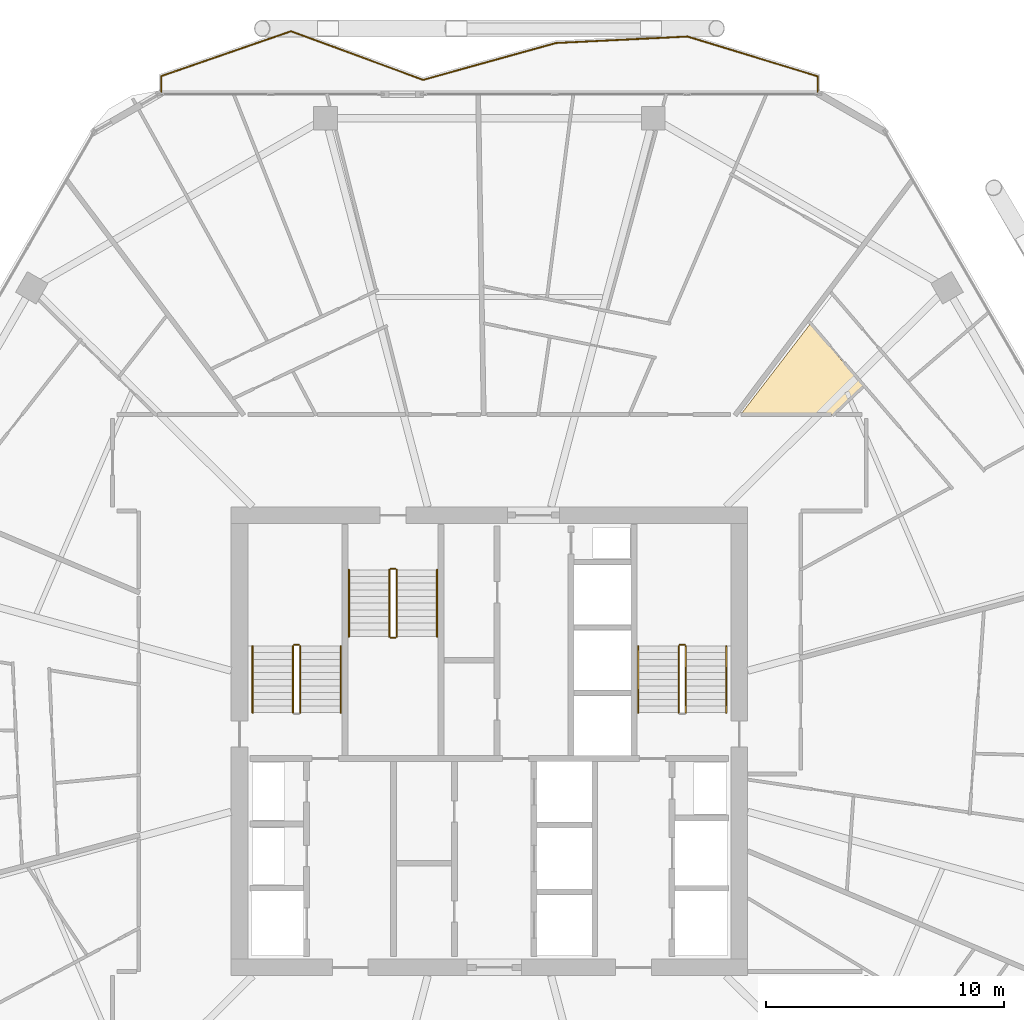
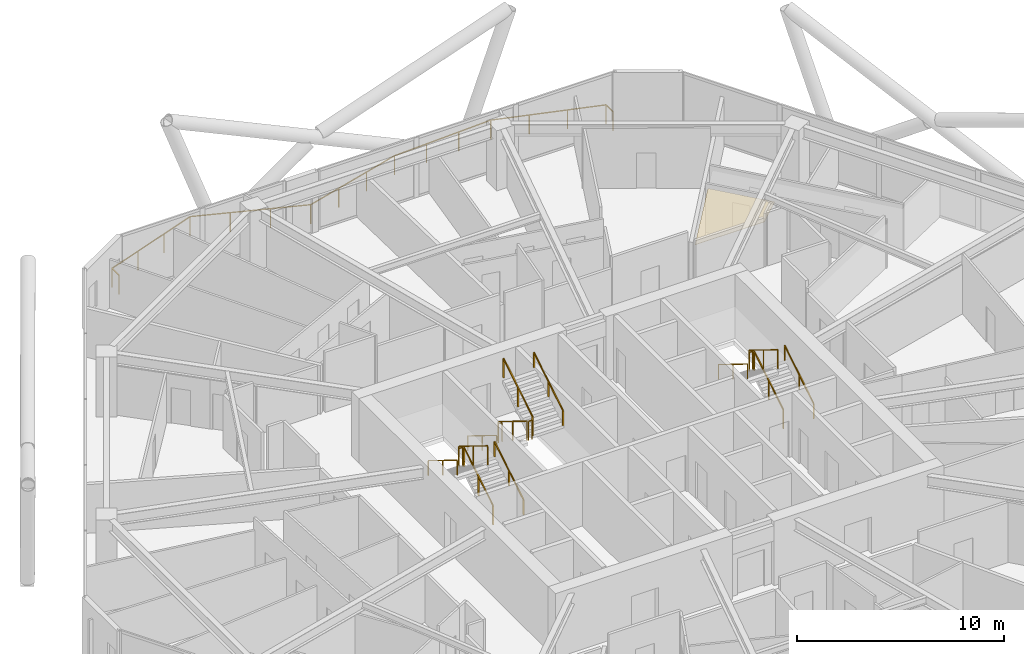
# One storey, part 28 of 29: 17 railings, 1 covering.
"""IFC4 building model written with IfcOpenShell, lengths in metres."""

from ifc_helpers import new_model, si_unit, direction, frame, origin, origin_2d, place, context, subcontext, project, spatial, polyline, rectangle, outline, extrude, material, layer, layer_set, type_object, element, save


model = new_model("IFC4")

# Units and contexts
model_context = context("Model", 3, precision=1e-05, world=origin(), true_north=direction((0.0, 1.0)))
body_context = subcontext(model_context, "Body", "Model", "MODEL_VIEW")
ifc_project = project(units=[si_unit("LENGTHUNIT", "METRE"), si_unit("AREAUNIT", "SQUARE_METRE"), si_unit("VOLUMEUNIT", "CUBIC_METRE"), si_unit("PLANEANGLEUNIT", "RADIAN"), si_unit("MASSUNIT", "GRAM", prefix="KILO")], contexts=[model_context])

# Site, building, storey
site_placement = place(None, origin())
site = spatial("IfcSite", under=ifc_project, at=site_placement, CompositionType="ELEMENT")
building_placement = place(site_placement, origin())
building = spatial("IfcBuilding", under=site, at=building_placement, Name="Zuhravey Tower", CompositionType="ELEMENT")
storey_placement = place(building_placement, frame((0.0, 0.0, 184.60009765625)))
storey = spatial("IfcBuildingStorey", under=building, at=storey_placement, Name="L46", CompositionType="ELEMENT", Elevation=184.60009765625)

# Railing
ifc_material_1 = material(Name="Stainless steel 316 and laminated glass", Category="steel")
railing_type_1 = type_object("IfcRailingType", Name="Balcony & Terrace Guardrail 1150", PredefinedType="BALUSTRADE", material=ifc_material_1)
railing_1_placement = place(storey_placement, frame((22.2099609375, 59.26806640625, 0.0)))
element("IfcRailing", 1, at=railing_1_placement, inside=storey, type_object=railing_type_1, Name="L46 Face 2 Wave Balcony Guardrail GR1", PredefinedType="BALUSTRADE", context=body_context, shape_type="SweptSolid", body=[
    extrude(rectangle(XDim=0.048095703125, YDim=0.048095703125, at=origin_2d()), frame((0.0, 0.001953125, 1.1259765625), z_axis=(0.0, 1.0, 0.0), x_axis=(-1.0, 0.0, 0.0)), (0.0, 0.0, 1.0), 0.6650390625),
    extrude(rectangle(XDim=0.048095703125, YDim=0.048095703125, at=origin_2d()), frame((0.001953125, 0.669677734375, 1.1259765625), z_axis=(0.944926729058, 0.327281952926, 0.0), x_axis=(-0.327281952926, 0.944926729058, 0.0)), (0.0, 0.0, 1.0), 5.76904296875),
    extrude(rectangle(XDim=0.048095703125, YDim=0.048095703125, at=origin_2d()), frame((5.45703125, 2.5576171875, 1.1259765625), z_axis=(0.93849519735, -0.345292288578, 0.0), x_axis=(0.345292288578, 0.93849519735, 0.0)), (0.0, 0.0, 1.0), 5.91259765625),
    extrude(rectangle(XDim=0.048095703125, YDim=0.048095703125, at=origin_2d()), frame((11.009765625, 0.515869140625, 1.1259765625), z_axis=(0.96353362204, 0.267587292671, 0.0), x_axis=(-0.267587292671, 0.96353362204, 0.0)), (0.0, 0.0, 1.0), 5.783203125),
    extrude(rectangle(XDim=0.048095703125, YDim=0.048095703125, at=origin_2d()), frame((16.5859375, 2.06396484375, 1.1259765625), z_axis=(0.998787402445, 0.049231338772, 0.0), x_axis=(-0.049231338772, 0.998787402445, 0.0)), (0.0, 0.0, 1.0), 5.5302734375),
    extrude(rectangle(XDim=0.048095703125, YDim=0.048095703125, at=origin_2d()), frame((22.113525390625, 2.3359375, 1.1259765625), z_axis=(0.956377089368, -0.292135008056, 0.0), x_axis=(0.292135008056, 0.956377089368, 0.0)), (0.0, 0.0, 1.0), 5.7138671875),
    extrude(rectangle(XDim=0.048095703125, YDim=0.048095703125, at=origin_2d()), frame((27.580078125, 0.6640625, 1.1259765625), z_axis=(0.0, -1.0, 0.0), x_axis=(1.0, 0.0, 0.0)), (0.0, 0.0, 1.0), 0.662109375),
    extrude(rectangle(XDim=0.0419921875, YDim=0.0419921875, at=origin_2d()), origin(), (0.0, 0.0, 1.0), 1.099853515625),
    extrude(rectangle(XDim=0.0419921875, YDim=0.0419921875, at=origin_2d()), frame((0.0, 0.6689453125, 0.0)), (0.0, 0.0, 1.0), 1.099853515625),
    extrude(rectangle(XDim=0.0419921875, YDim=0.0419921875, at=origin_2d()), frame((1.818359375, 1.298828125, 0.0)), (0.0, 0.0, 1.0), 1.099853515625),
    extrude(rectangle(XDim=0.0419921875, YDim=0.0419921875, at=origin_2d()), frame((3.63671875, 1.928466796875, 0.0)), (0.0, 0.0, 1.0), 1.099853515625),
    extrude(rectangle(XDim=0.0419921875, YDim=0.0419921875, at=origin_2d()), frame((5.455078125, 2.558349609375, 0.0)), (0.0, 0.0, 1.0), 1.099853515625),
    extrude(rectangle(XDim=0.0419921875, YDim=0.0419921875, at=origin_2d()), frame((7.305908203125, 1.87744140625, 0.0)), (0.0, 0.0, 1.0), 1.099853515625),
    extrude(rectangle(XDim=0.0419921875, YDim=0.0419921875, at=origin_2d()), frame((9.156982421875, 1.1962890625, 0.0)), (0.0, 0.0, 1.0), 1.099853515625),
    extrude(rectangle(XDim=0.0419921875, YDim=0.0419921875, at=origin_2d()), frame((11.0078125, 0.515380859375, 0.0)), (0.0, 0.0, 1.0), 1.099853515625),
    extrude(rectangle(XDim=0.0419921875, YDim=0.0419921875, at=origin_2d()), frame((12.866455078125, 1.031494140625, 0.0)), (0.0, 0.0, 1.0), 1.099853515625),
    extrude(rectangle(XDim=0.0419921875, YDim=0.0419921875, at=origin_2d()), frame((14.725341796875, 1.5478515625, 0.0)), (0.0, 0.0, 1.0), 1.099853515625),
    extrude(rectangle(XDim=0.0419921875, YDim=0.0419921875, at=origin_2d()), frame((16.583984375, 2.06396484375, 0.0)), (0.0, 0.0, 1.0), 1.099853515625),
    extrude(rectangle(XDim=0.0419921875, YDim=0.0419921875, at=origin_2d()), frame((18.426513671875, 2.15478515625, 0.0)), (0.0, 0.0, 1.0), 1.099853515625),
    extrude(rectangle(XDim=0.0419921875, YDim=0.0419921875, at=origin_2d()), frame((20.26904296875, 2.24560546875, 0.0)), (0.0, 0.0, 1.0), 1.099853515625),
    extrude(rectangle(XDim=0.0419921875, YDim=0.0419921875, at=origin_2d()), frame((22.111572265625, 2.33642578125, 0.0)), (0.0, 0.0, 1.0), 1.099853515625),
    extrude(rectangle(XDim=0.0419921875, YDim=0.0419921875, at=origin_2d()), frame((23.934326171875, 1.779541015625, 0.0)), (0.0, 0.0, 1.0), 1.099853515625),
    extrude(rectangle(XDim=0.0419921875, YDim=0.0419921875, at=origin_2d()), frame((25.75732421875, 1.222900390625, 0.0)), (0.0, 0.0, 1.0), 1.099853515625),
    extrude(rectangle(XDim=0.0419921875, YDim=0.0419921875, at=origin_2d()), frame((27.580078125, 0.666015625, 0.0)), (0.0, 0.0, 1.0), 1.099853515625),
    extrude(rectangle(XDim=0.0419921875, YDim=0.0419921875, at=origin_2d()), frame((27.580078125, 0.0, 0.0)), (0.0, 0.0, 1.0), 1.099853515625),
])

# Covering
ifc_material_2 = material(Name="Moisture-resistant gypsum ceiling board")
ifc_layer = layer(ifc_material_2, 0.02001953125)
ifc_layer_set = layer_set([ifc_layer], Name="Moisture-resistant gypsum ceiling board")
covering_type = type_object("IfcCoveringType", Name="Moisture-Resistant Ceiling", PredefinedType="CEILING", material=ifc_layer_set)
covering_placement = place(storey_placement, frame((0.0, 0.0, 2.58984375)))
element("IfcCovering", 2, at=covering_placement, inside=storey, type_object=covering_type, Name="L46 Wet-Room Ceiling CLG2", PredefinedType="CEILING", context=body_context, shape_type="SweptSolid", body=[
    extrude(outline(polyline([(46.560546875, 45.72998046875), (49.480712890625, 49.53564453125), (51.711669921875, 46.938232421875), (50.4384765625, 45.72998046875), (46.560546875, 45.72998046875)])), origin(), (0.0, 0.0, 1.0), 0.02001953125),
])

# Railings
ifc_material_3 = material(Name="Brushed stainless steel", Category="steel")
railing_type_2 = type_object("IfcRailingType", Name="Stair Wall Handrail 900", PredefinedType="HANDRAIL", material=ifc_material_3)
railing_2_placement = place(storey_placement, frame((29.75, 33.199951171875, 0.172607421875)))
element("IfcRailing", 3, at=railing_2_placement, inside=storey, type_object=railing_type_2, Name="L46 ST1 stair handrail 1", PredefinedType="HANDRAIL", context=body_context, shape_type="SweptSolid", body=[
    extrude(rectangle(XDim=0.048095703125, YDim=0.048095703125, at=origin_2d()), frame((0.0, 0.001708984375, 0.876953125), z_axis=(0.0, 0.851089632645, 0.525020415988), x_axis=(-1.0, 0.0, 0.0)), (0.0, 0.0, 1.0), 3.285888671875),
    extrude(rectangle(XDim=0.0419921875, YDim=0.0419921875, at=origin_2d()), origin(), (0.0, 0.0, 1.0), 0.849853515625),
    extrude(rectangle(XDim=0.0419921875, YDim=0.0419921875, at=origin_2d()), frame((0.0, 1.39990234375, 0.86376953125)), (0.0, 0.0, 1.0), 0.849853515625),
    extrude(rectangle(XDim=0.0419921875, YDim=0.0419921875, at=origin_2d()), frame((0.0, 2.800048828125, 1.727294921875)), (0.0, 0.0, 1.0), 0.849853515625),
])
railing_3_placement = place(storey_placement, frame((26.050048828125, 36.0, 2.072509765625)))
element("IfcRailing", 4, at=railing_3_placement, inside=storey, type_object=railing_type_2, Name="L46 ST1 stair handrail 2", PredefinedType="HANDRAIL", context=body_context, shape_type="SweptSolid", body=[
    extrude(rectangle(XDim=0.048095703125, YDim=0.048095703125, at=origin_2d()), frame((0.0, -0.001708984375, 0.876953125), z_axis=(0.0, -0.851089632645, 0.525020415988), x_axis=(1.0, 0.0, 0.0)), (0.0, 0.0, 1.0), 3.285888671875),
    extrude(rectangle(XDim=0.0419921875, YDim=0.0419921875, at=origin_2d()), origin(), (0.0, 0.0, 1.0), 0.849853515625),
    extrude(rectangle(XDim=0.0419921875, YDim=0.0419921875, at=origin_2d()), frame((0.0, -1.39990234375, 0.86376953125)), (0.0, 0.0, 1.0), 0.849853515625),
    extrude(rectangle(XDim=0.0419921875, YDim=0.0419921875, at=origin_2d()), frame((0.0, -2.800048828125, 1.727294921875)), (0.0, 0.0, 1.0), 0.849853515625),
])
railing_4_placement = place(storey_placement, frame((45.949951171875, 33.199951171875, 0.172607421875)))
element("IfcRailing", 5, at=railing_4_placement, inside=storey, type_object=railing_type_2, Name="L46 ST2 stair handrail 1", PredefinedType="HANDRAIL", context=body_context, shape_type="SweptSolid", body=[
    extrude(rectangle(XDim=0.048095703125, YDim=0.048095703125, at=origin_2d()), frame((0.0, 0.001708984375, 0.876953125), z_axis=(0.0, 0.851089632645, 0.525020415988), x_axis=(-1.0, 0.0, 0.0)), (0.0, 0.0, 1.0), 3.285888671875),
    extrude(rectangle(XDim=0.0419921875, YDim=0.0419921875, at=origin_2d()), origin(), (0.0, 0.0, 1.0), 0.849853515625),
    extrude(rectangle(XDim=0.0419921875, YDim=0.0419921875, at=origin_2d()), frame((0.0, 1.39990234375, 0.86376953125)), (0.0, 0.0, 1.0), 0.849853515625),
    extrude(rectangle(XDim=0.0419921875, YDim=0.0419921875, at=origin_2d()), frame((0.0, 2.800048828125, 1.727294921875)), (0.0, 0.0, 1.0), 0.849853515625),
])
for number, where, name in (
    (6, (42.25, 36.0, 2.072509765625), "L46 ST2 stair handrail 2"),
    (7, (30.10009765625, 39.199951171875, 0.172607421875), "L46 ST3 stair handrail 1"),
):
    element("IfcRailing", number, at=place(storey_placement, frame(where)), inside=storey, type_object=railing_type_2, Name=name, PredefinedType="HANDRAIL", context=body_context, shape_type="SweptSolid", body=[
        extrude(rectangle(XDim=0.048095703125, YDim=0.048095703125, at=origin_2d()), frame((0.0, -0.001708984375, 0.876953125), z_axis=(0.0, -0.851089632645, 0.525020415988), x_axis=(1.0, 0.0, 0.0)), (0.0, 0.0, 1.0), 3.285888671875),
        extrude(rectangle(XDim=0.0419921875, YDim=0.0419921875, at=origin_2d()), origin(), (0.0, 0.0, 1.0), 0.849853515625),
        extrude(rectangle(XDim=0.0419921875, YDim=0.0419921875, at=origin_2d()), frame((0.0, -1.39990234375, 0.86376953125)), (0.0, 0.0, 1.0), 0.849853515625),
        extrude(rectangle(XDim=0.0419921875, YDim=0.0419921875, at=origin_2d()), frame((0.0, -2.800048828125, 1.727294921875)), (0.0, 0.0, 1.0), 0.849853515625),
    ])
railing_5_placement = place(storey_placement, frame((33.800048828125, 36.39990234375, 2.072509765625)))
element("IfcRailing", 8, at=railing_5_placement, inside=storey, type_object=railing_type_2, Name="L46 ST3 stair handrail 2", PredefinedType="HANDRAIL", context=body_context, shape_type="SweptSolid", body=[
    extrude(rectangle(XDim=0.048095703125, YDim=0.048095703125, at=origin_2d()), frame((0.0, 0.001708984375, 0.876953125), z_axis=(0.0, 0.851089632645, 0.525020415988), x_axis=(-1.0, 0.0, 0.0)), (0.0, 0.0, 1.0), 3.285888671875),
    extrude(rectangle(XDim=0.0419921875, YDim=0.0419921875, at=origin_2d()), origin(), (0.0, 0.0, 1.0), 0.849853515625),
    extrude(rectangle(XDim=0.0419921875, YDim=0.0419921875, at=origin_2d()), frame((0.0, 1.39990234375, 0.86376953125)), (0.0, 0.0, 1.0), 0.849853515625),
    extrude(rectangle(XDim=0.0419921875, YDim=0.0419921875, at=origin_2d()), frame((0.0, 2.800048828125, 1.727294921875)), (0.0, 0.0, 1.0), 0.849853515625),
])
ifc_material_4 = material(Name="Painted tubular steel", Category="steel")
railing_type_3 = type_object("IfcRailingType", Name="Stair Well Guardrail 1150", PredefinedType="GUARDRAIL", material=ifc_material_4)
railing_6_placement = place(storey_placement, frame((28.050048828125, 33.199951171875, 0.172607421875)))
element("IfcRailing", 9, at=railing_6_placement, inside=storey, type_object=railing_type_3, Name="L46 ST1 stair guard 1", PredefinedType="GUARDRAIL", context=body_context, shape_type="SweptSolid", body=[
    extrude(rectangle(XDim=0.048095703125, YDim=0.048095703125, at=origin_2d()), frame((0.0, 0.001708984375, 1.126953125), z_axis=(0.0, 0.851089632645, 0.525020415988), x_axis=(-1.0, 0.0, 0.0)), (0.0, 0.0, 1.0), 3.285888671875),
    extrude(rectangle(XDim=0.0419921875, YDim=0.0419921875, at=origin_2d()), origin(), (0.0, 0.0, 1.0), 1.099853515625),
    extrude(rectangle(XDim=0.0419921875, YDim=0.0419921875, at=origin_2d()), frame((0.0, 1.39990234375, 0.86376953125)), (0.0, 0.0, 1.0), 1.099853515625),
    extrude(rectangle(XDim=0.0419921875, YDim=0.0419921875, at=origin_2d()), frame((0.0, 2.800048828125, 1.727294921875)), (0.0, 0.0, 1.0), 1.099853515625),
])
railing_7_placement = place(storey_placement, frame((28.0, 36.050048828125, 1.89990234375)))
element("IfcRailing", 10, at=railing_7_placement, inside=storey, type_object=railing_type_3, Name="L46 ST1 stair guard 2", PredefinedType="GUARDRAIL", context=body_context, shape_type="SweptSolid", body=[
    extrude(rectangle(XDim=0.048095703125, YDim=0.048095703125, at=origin_2d()), frame((-0.001953125, 0.0, 1.1259765625), z_axis=(-1.0, 0.0, 0.0), x_axis=(0.0, -1.0, 0.0)), (0.0, 0.0, 1.0), 0.196044921875),
    extrude(rectangle(XDim=0.0419921875, YDim=0.0419921875, at=origin_2d()), origin(), (0.0, 0.0, 1.0), 1.099853515625),
    extrude(rectangle(XDim=0.0419921875, YDim=0.0419921875, at=origin_2d()), frame((-0.199951171875, 0.0, 0.0)), (0.0, 0.0, 1.0), 1.099853515625),
])
railing_8_placement = place(storey_placement, frame((27.75, 36.0, 2.072509765625)))
element("IfcRailing", 11, at=railing_8_placement, inside=storey, type_object=railing_type_3, Name="L46 ST1 stair guard 3", PredefinedType="GUARDRAIL", context=body_context, shape_type="SweptSolid", body=[
    extrude(rectangle(XDim=0.048095703125, YDim=0.048095703125, at=origin_2d()), frame((0.0, -0.001708984375, 1.126953125), z_axis=(0.0, -0.851089632645, 0.525020415988), x_axis=(1.0, 0.0, 0.0)), (0.0, 0.0, 1.0), 3.285888671875),
    extrude(rectangle(XDim=0.0419921875, YDim=0.0419921875, at=origin_2d()), origin(), (0.0, 0.0, 1.0), 1.099853515625),
    extrude(rectangle(XDim=0.0419921875, YDim=0.0419921875, at=origin_2d()), frame((0.0, -1.39990234375, 0.86376953125)), (0.0, 0.0, 1.0), 1.099853515625),
    extrude(rectangle(XDim=0.0419921875, YDim=0.0419921875, at=origin_2d()), frame((0.0, -2.800048828125, 1.727294921875)), (0.0, 0.0, 1.0), 1.099853515625),
])
railing_9_placement = place(storey_placement, frame((44.25, 33.199951171875, 0.172607421875)))
element("IfcRailing", 12, at=railing_9_placement, inside=storey, type_object=railing_type_3, Name="L46 ST2 stair guard 1", PredefinedType="GUARDRAIL", context=body_context, shape_type="SweptSolid", body=[
    extrude(rectangle(XDim=0.048095703125, YDim=0.048095703125, at=origin_2d()), frame((0.0, 0.001708984375, 1.126953125), z_axis=(0.0, 0.851089632645, 0.525020415988), x_axis=(-1.0, 0.0, 0.0)), (0.0, 0.0, 1.0), 3.285888671875),
    extrude(rectangle(XDim=0.0419921875, YDim=0.0419921875, at=origin_2d()), origin(), (0.0, 0.0, 1.0), 1.099853515625),
    extrude(rectangle(XDim=0.0419921875, YDim=0.0419921875, at=origin_2d()), frame((0.0, 1.39990234375, 0.86376953125)), (0.0, 0.0, 1.0), 1.099853515625),
    extrude(rectangle(XDim=0.0419921875, YDim=0.0419921875, at=origin_2d()), frame((0.0, 2.800048828125, 1.727294921875)), (0.0, 0.0, 1.0), 1.099853515625),
])
railing_10_placement = place(storey_placement, frame((44.199951171875, 36.050048828125, 1.89990234375)))
element("IfcRailing", 13, at=railing_10_placement, inside=storey, type_object=railing_type_3, Name="L46 ST2 stair guard 2", PredefinedType="GUARDRAIL", context=body_context, shape_type="SweptSolid", body=[
    extrude(rectangle(XDim=0.048095703125, YDim=0.048095703125, at=origin_2d()), frame((-0.001953125, 0.0, 1.1259765625), z_axis=(-1.0, 0.0, 0.0), x_axis=(0.0, -1.0, 0.0)), (0.0, 0.0, 1.0), 0.196044921875),
    extrude(rectangle(XDim=0.0419921875, YDim=0.0419921875, at=origin_2d()), origin(), (0.0, 0.0, 1.0), 1.099853515625),
    extrude(rectangle(XDim=0.0419921875, YDim=0.0419921875, at=origin_2d()), frame((-0.199951171875, 0.0, 0.0)), (0.0, 0.0, 1.0), 1.099853515625),
])
for number, where, name in (
    (14, (43.949951171875, 36.0, 2.072509765625), "L46 ST2 stair guard 3"),
    (15, (31.800048828125, 39.199951171875, 0.172607421875), "L46 ST3 stair guard 1"),
):
    element("IfcRailing", number, at=place(storey_placement, frame(where)), inside=storey, type_object=railing_type_3, Name=name, PredefinedType="GUARDRAIL", context=body_context, shape_type="SweptSolid", body=[
        extrude(rectangle(XDim=0.048095703125, YDim=0.048095703125, at=origin_2d()), frame((0.0, -0.001708984375, 1.126953125), z_axis=(0.0, -0.851089632645, 0.525020415988), x_axis=(1.0, 0.0, 0.0)), (0.0, 0.0, 1.0), 3.285888671875),
        extrude(rectangle(XDim=0.0419921875, YDim=0.0419921875, at=origin_2d()), origin(), (0.0, 0.0, 1.0), 1.099853515625),
        extrude(rectangle(XDim=0.0419921875, YDim=0.0419921875, at=origin_2d()), frame((0.0, -1.39990234375, 0.86376953125)), (0.0, 0.0, 1.0), 1.099853515625),
        extrude(rectangle(XDim=0.0419921875, YDim=0.0419921875, at=origin_2d()), frame((0.0, -2.800048828125, 1.727294921875)), (0.0, 0.0, 1.0), 1.099853515625),
    ])
railing_11_placement = place(storey_placement, frame((31.85009765625, 36.35009765625, 1.89990234375)))
element("IfcRailing", 16, at=railing_11_placement, inside=storey, type_object=railing_type_3, Name="L46 ST3 stair guard 2", PredefinedType="GUARDRAIL", context=body_context, shape_type="SweptSolid", body=[
    extrude(rectangle(XDim=0.048095703125, YDim=0.048095703125, at=origin_2d()), frame((0.001953125, 0.0, 1.1259765625), z_axis=(1.0, 0.0, 0.0), x_axis=(0.0, 1.0, 0.0)), (0.0, 0.0, 1.0), 0.196044921875),
    extrude(rectangle(XDim=0.0419921875, YDim=0.0419921875, at=origin_2d()), origin(), (0.0, 0.0, 1.0), 1.099853515625),
    extrude(rectangle(XDim=0.0419921875, YDim=0.0419921875, at=origin_2d()), frame((0.199951171875, 0.0, 0.0)), (0.0, 0.0, 1.0), 1.099853515625),
])
railing_12_placement = place(storey_placement, frame((32.10009765625, 36.39990234375, 2.072509765625)))
element("IfcRailing", 17, at=railing_12_placement, inside=storey, type_object=railing_type_3, Name="L46 ST3 stair guard 3", PredefinedType="GUARDRAIL", context=body_context, shape_type="SweptSolid", body=[
    extrude(rectangle(XDim=0.048095703125, YDim=0.048095703125, at=origin_2d()), frame((0.0, 0.001708984375, 1.126953125), z_axis=(0.0, 0.851089632645, 0.525020415988), x_axis=(-1.0, 0.0, 0.0)), (0.0, 0.0, 1.0), 3.285888671875),
    extrude(rectangle(XDim=0.0419921875, YDim=0.0419921875, at=origin_2d()), origin(), (0.0, 0.0, 1.0), 1.099853515625),
    extrude(rectangle(XDim=0.0419921875, YDim=0.0419921875, at=origin_2d()), frame((0.0, 1.39990234375, 0.86376953125)), (0.0, 0.0, 1.0), 1.099853515625),
    extrude(rectangle(XDim=0.0419921875, YDim=0.0419921875, at=origin_2d()), frame((0.0, 2.800048828125, 1.727294921875)), (0.0, 0.0, 1.0), 1.099853515625),
])
railing_13_placement = place(storey_placement, frame((31.85009765625, 39.25, 0.0)))
element("IfcRailing", 18, at=railing_13_placement, inside=storey, type_object=railing_type_3, Name="L46 ST3 stair guard 4", PredefinedType="GUARDRAIL", context=body_context, shape_type="SweptSolid", body=[
    extrude(rectangle(XDim=0.048095703125, YDim=0.048095703125, at=origin_2d()), frame((0.001953125, 0.0, 1.1259765625), z_axis=(1.0, 0.0, 0.0), x_axis=(0.0, 1.0, 0.0)), (0.0, 0.0, 1.0), 0.196044921875),
    extrude(rectangle(XDim=0.0419921875, YDim=0.0419921875, at=origin_2d()), origin(), (0.0, 0.0, 1.0), 1.099853515625),
    extrude(rectangle(XDim=0.0419921875, YDim=0.0419921875, at=origin_2d()), frame((0.199951171875, 0.0, 0.0)), (0.0, 0.0, 1.0), 1.099853515625),
])

save(model, "model.ifc")
